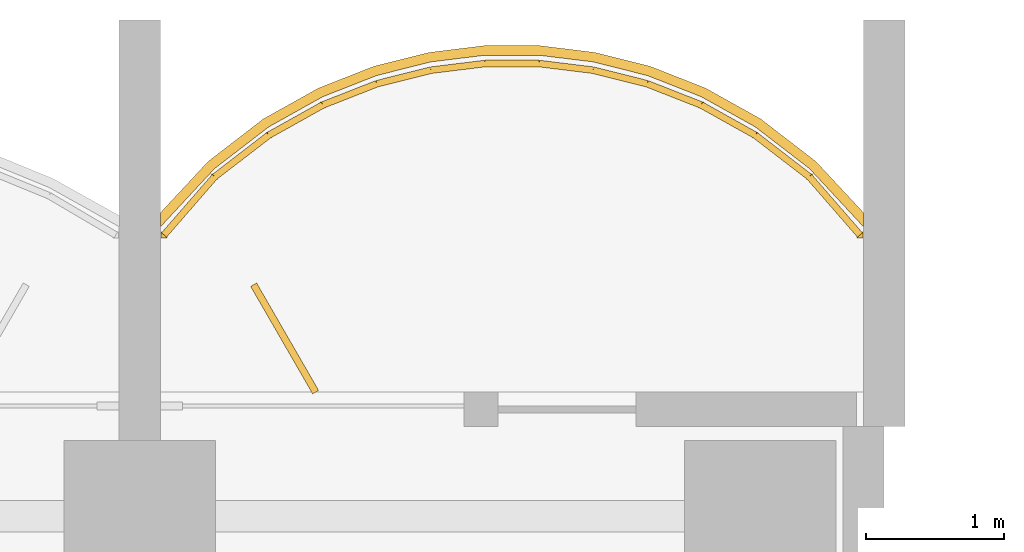
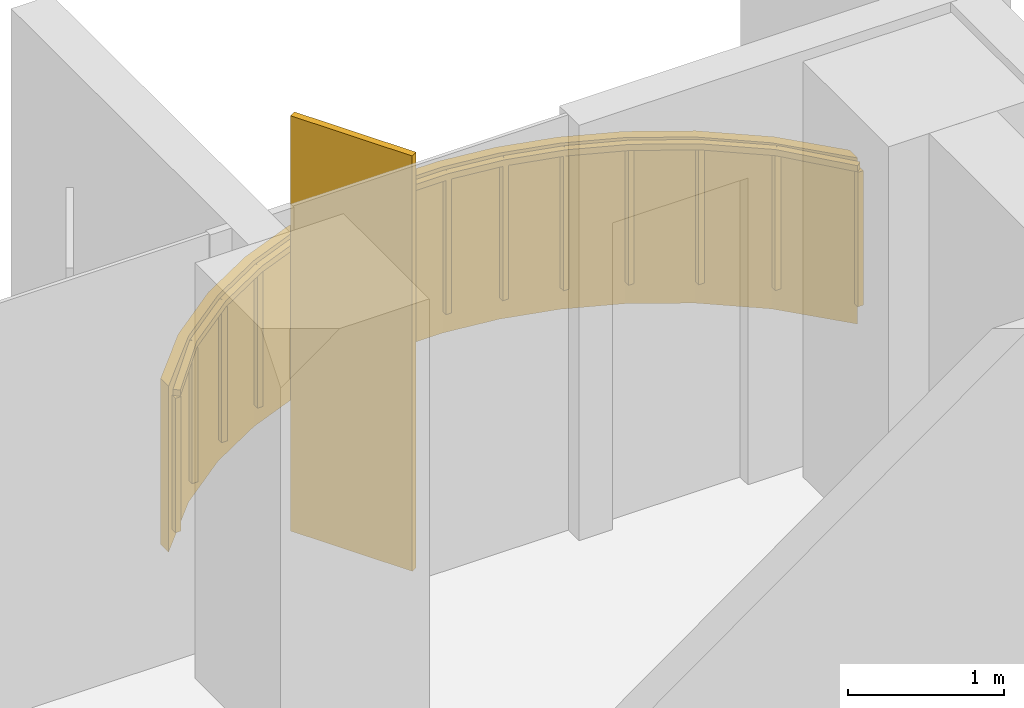
# One storey, part 19 of 19: 1 covering, 1 railing, 1 shading device.
"""IFC4 building model written with IfcOpenShell, lengths in metres."""

from ifc_helpers import new_model, si_unit, direction, frame, origin, origin_2d, place, context, subcontext, project, spatial, polyline, rectangle, outline, extrude, material, layer, layer_set, type_object, element, save


model = new_model("IFC4")

# Units and contexts
model_context = context("Model", 3, precision=1e-05, world=origin(), true_north=direction((0.0, 1.0)))
body_context = subcontext(model_context, "Body", "Model", "MODEL_VIEW")
ifc_project = project(units=[si_unit("LENGTHUNIT", "METRE"), si_unit("AREAUNIT", "SQUARE_METRE"), si_unit("VOLUMEUNIT", "CUBIC_METRE"), si_unit("PLANEANGLEUNIT", "RADIAN"), si_unit("MASSUNIT", "GRAM", prefix="KILO")], contexts=[model_context])

# Site, building, storey
site_placement = place(None, origin())
site = spatial("IfcSite", under=ifc_project, at=site_placement, CompositionType="ELEMENT")
building_placement = place(site_placement, origin())
building = spatial("IfcBuilding", under=site, at=building_placement, Name="Perihelion Cross Residences", CompositionType="ELEMENT")
storey_placement = place(building_placement, frame((0.0, 0.0, 147.89990234375)))
storey = spatial("IfcBuildingStorey", under=building, at=storey_placement, Name="L36", CompositionType="ELEMENT", Elevation=147.89990234375)

# Covering
ifc_material_1 = material(Name="Bronze anodised aluminium", Category="aluminium")
ifc_layer_1 = layer(ifc_material_1, 0.070068359375)
ifc_layer_set_1 = layer_set([ifc_layer_1], Name="Balcony fascia 1300")
covering_type = type_object("IfcCoveringType", Name="Balcony fascia 1300", PredefinedType="CLADDING", material=ifc_layer_set_1)
covering_placement = place(storey_placement, frame((0.0, 0.0, -0.199951171875)))
element("IfcCovering", 1, at=covering_placement, inside=storey, type_object=covering_type, Name="Fascia BF1 L36 north tip north bay 1", PredefinedType="CLADDING", context=body_context, shape_type="SweptSolid", body=[
    extrude(outline(polyline([(4.90478515625, 28.674072265625), (4.50390625, 28.982666015625), (4.10302734375, 29.20654296875), (3.7021484375, 29.364013671875), (3.30126953125, 29.464599609375), (2.900390625, 29.513916015625), (2.49951171875, 29.513916015625), (2.0986328125, 29.464599609375), (1.69775390625, 29.364013671875), (1.296875, 29.20654296875), (0.89599609375, 28.982666015625), (0.4951171875, 28.674072265625), (0.14990234375, 28.302734375), (0.14990234375, 28.199951171875), (0.542236328125, 28.622314453125), (0.9345703125, 28.924072265625), (1.326904296875, 29.143310546875), (1.71923828125, 29.29736328125), (2.111572265625, 29.39599609375), (2.50390625, 29.444091796875), (2.896240234375, 29.444091796875), (3.28857421875, 29.39599609375), (3.6806640625, 29.29736328125), (4.072998046875, 29.143310546875), (4.46533203125, 28.924072265625), (4.857666015625, 28.622314453125), (5.25, 28.199951171875), (5.25, 28.302734375), (4.90478515625, 28.674072265625)])), origin(), (0.0, 0.0, 1.0), 1.300048828125),
])

# Railing
ifc_material_2 = material(Name="Bronze anodised aluminium", Category="aluminium")
railing_type = type_object("IfcRailingType", Name="Balcony guard 1100", PredefinedType="GUARDRAIL", material=ifc_material_2)
railing_placement = place(storey_placement, frame((5.22509765625, 28.139892578125, 0.0)))
element("IfcRailing", 2, at=railing_placement, inside=storey, type_object=railing_type, Name="Guard GU1 L36 north tip north bay 1 balcony", PredefinedType="GUARDRAIL", context=body_context, shape_type="SweptSolid", body=[
    extrude(rectangle(XDim=0.048095703125, YDim=0.048095703125, at=origin_2d()), frame((0.0, 0.0, 1.076171875), z_axis=(-0.656340655493, 0.754464673757, 0.0), x_axis=(-0.754464673757, -0.656340655493, 0.0)), (0.0, 0.0, 1.0), 0.559814453125),
    extrude(rectangle(XDim=0.048095703125, YDim=0.048095703125, at=origin_2d()), frame((-0.367431640625, 0.42236328125, 1.076171875), z_axis=(-0.792660660899, 0.60966308455, 0.0), x_axis=(-0.60966308455, -0.792660660899, 0.0)), (0.0, 0.0, 1.0), 0.494873046875),
    extrude(rectangle(XDim=0.048095703125, YDim=0.048095703125, at=origin_2d()), frame((-0.759765625, 0.72412109375, 1.076171875), z_axis=(-0.872950285698, 0.487809182674, 0.0), x_axis=(-0.487809182674, -0.872950285698, 0.0)), (0.0, 0.0, 1.0), 0.449462890625),
    extrude(rectangle(XDim=0.048095703125, YDim=0.048095703125, at=origin_2d()), frame((-1.152099609375, 0.943359375, 1.076171875), z_axis=(-0.930814842219, 0.365491079925, 0.0), x_axis=(-0.365491079925, -0.930814842219, 0.0)), (0.0, 0.0, 1.0), 0.42138671875),
    extrude(rectangle(XDim=0.048095703125, YDim=0.048095703125, at=origin_2d()), frame((-1.54443359375, 1.097412109375, 1.076171875), z_axis=(-0.969786252666, 0.243956193074, 0.0), x_axis=(-0.243956193074, -0.969786252666, 0.0)), (0.0, 0.0, 1.0), 0.404296875),
    extrude(rectangle(XDim=0.048095703125, YDim=0.048095703125, at=origin_2d()), frame((-1.9365234375, 1.196044921875, 1.076171875), z_axis=(-0.992569651699, 0.121677797999, 0.0), x_axis=(-0.121677797999, -0.992569651699, 0.0)), (0.0, 0.0, 1.0), 0.395263671875),
    extrude(rectangle(XDim=0.048095703125, YDim=0.048095703125, at=origin_2d()), frame((-2.328857421875, 1.244140625, 1.076171875), z_axis=(-1.0, 0.0, 0.0), x_axis=(0.0, -1.0, 0.0)), (0.0, 0.0, 1.0), 0.392333984375),
    extrude(rectangle(XDim=0.048095703125, YDim=0.048095703125, at=origin_2d()), frame((-2.72119140625, 1.244140625, 1.076171875), z_axis=(-0.992569651699, -0.121677797999, 0.0), x_axis=(0.121677797999, -0.992569651699, 0.0)), (0.0, 0.0, 1.0), 0.395263671875),
    extrude(rectangle(XDim=0.048095703125, YDim=0.048095703125, at=origin_2d()), frame((-3.113525390625, 1.196044921875, 1.076171875), z_axis=(-0.969822159145, -0.243813411509, 0.0), x_axis=(0.243813411509, -0.969822159145, 0.0)), (0.0, 0.0, 1.0), 0.404541015625),
    extrude(rectangle(XDim=0.048095703125, YDim=0.048095703125, at=origin_2d()), frame((-3.505859375, 1.097412109375, 1.076171875), z_axis=(-0.930814842219, -0.365491079925, 0.0), x_axis=(0.365491079925, -0.930814842219, 0.0)), (0.0, 0.0, 1.0), 0.42138671875),
    extrude(rectangle(XDim=0.048095703125, YDim=0.048095703125, at=origin_2d()), frame((-3.898193359375, 0.943359375, 1.076171875), z_axis=(-0.872950285698, -0.487809182674, 0.0), x_axis=(0.487809182674, -0.872950285698, 0.0)), (0.0, 0.0, 1.0), 0.449462890625),
    extrude(rectangle(XDim=0.048095703125, YDim=0.048095703125, at=origin_2d()), frame((-4.29052734375, 0.72412109375, 1.076171875), z_axis=(-0.792660660899, -0.60966308455, 0.0), x_axis=(0.60966308455, -0.792660660899, 0.0)), (0.0, 0.0, 1.0), 0.494873046875),
    extrude(rectangle(XDim=0.048095703125, YDim=0.048095703125, at=origin_2d()), frame((-4.682861328125, 0.42236328125, 1.076171875), z_axis=(-0.656092309534, -0.754680648599, 0.0), x_axis=(0.754680648599, -0.656092309534, 0.0)), (0.0, 0.0, 1.0), 0.5595703125),
    extrude(rectangle(XDim=0.0419921875, YDim=0.0419921875, at=origin_2d()), origin(), (0.0, 0.0, 1.0), 1.052001953125),
    extrude(rectangle(XDim=0.0419921875, YDim=0.0419921875, at=origin_2d()), frame((-0.367431640625, 0.42236328125, 0.0)), (0.0, 0.0, 1.0), 1.052001953125),
    extrude(rectangle(XDim=0.0419921875, YDim=0.0419921875, at=origin_2d()), frame((-0.759765625, 0.72412109375, 0.0)), (0.0, 0.0, 1.0), 1.052001953125),
    extrude(rectangle(XDim=0.0419921875, YDim=0.0419921875, at=origin_2d()), frame((-1.152099609375, 0.943359375, 0.0)), (0.0, 0.0, 1.0), 1.052001953125),
    extrude(rectangle(XDim=0.0419921875, YDim=0.0419921875, at=origin_2d()), frame((-1.54443359375, 1.097412109375, 0.0)), (0.0, 0.0, 1.0), 1.052001953125),
    extrude(rectangle(XDim=0.0419921875, YDim=0.0419921875, at=origin_2d()), frame((-1.9365234375, 1.196044921875, 0.0)), (0.0, 0.0, 1.0), 1.052001953125),
    extrude(rectangle(XDim=0.0419921875, YDim=0.0419921875, at=origin_2d()), frame((-2.328857421875, 1.244140625, 0.0)), (0.0, 0.0, 1.0), 1.052001953125),
    extrude(rectangle(XDim=0.0419921875, YDim=0.0419921875, at=origin_2d()), frame((-2.72119140625, 1.244140625, 0.0)), (0.0, 0.0, 1.0), 1.052001953125),
    extrude(rectangle(XDim=0.0419921875, YDim=0.0419921875, at=origin_2d()), frame((-3.113525390625, 1.196044921875, 0.0)), (0.0, 0.0, 1.0), 1.052001953125),
    extrude(rectangle(XDim=0.0419921875, YDim=0.0419921875, at=origin_2d()), frame((-3.505859375, 1.097412109375, 0.0)), (0.0, 0.0, 1.0), 1.052001953125),
    extrude(rectangle(XDim=0.0419921875, YDim=0.0419921875, at=origin_2d()), frame((-3.898193359375, 0.943359375, 0.0)), (0.0, 0.0, 1.0), 1.052001953125),
    extrude(rectangle(XDim=0.0419921875, YDim=0.0419921875, at=origin_2d()), frame((-4.29052734375, 0.72412109375, 0.0)), (0.0, 0.0, 1.0), 1.052001953125),
    extrude(rectangle(XDim=0.0419921875, YDim=0.0419921875, at=origin_2d()), frame((-4.682861328125, 0.42236328125, 0.0)), (0.0, 0.0, 1.0), 1.052001953125),
    extrude(rectangle(XDim=0.0419921875, YDim=0.0419921875, at=origin_2d()), frame((-5.050048828125, 0.0, 0.0)), (0.0, 0.0, 1.0), 1.052001953125),
])

# Shading device
ifc_material_3 = material(Name="Bronze anodised aluminium", Category="aluminium")
ifc_layer_2 = layer(ifc_material_3, 0.050048828125)
ifc_layer_set_2 = layer_set([ifc_layer_2], Name="Bronze fin 900")
shading_device_type = type_object("IfcShadingDeviceType", Name="Bronze fin 900", PredefinedType="USERDEFINED", material=ifc_layer_set_2)
shading_device_placement = place(storey_placement, frame((1.050048828125, 27.3896484375, 0.0), z_axis=(0.0, 0.0, 1.0), x_axis=(-0.5, 0.866025403784, 0.0)))
element("IfcShadingDevice", 3, at=shading_device_placement, inside=storey, type_object=shading_device_type, Name="Fin FN1 L36 north tip north bay 1", ObjectType="FIN", PredefinedType="USERDEFINED", context=body_context, shape_type="SweptSolid", body=[
    extrude(rectangle(XDim=0.89990234375, YDim=0.050048828125, at=origin_2d()), origin(), (0.0, 0.0, 1.0), 3.25),
])

save(model, "model.ifc")
